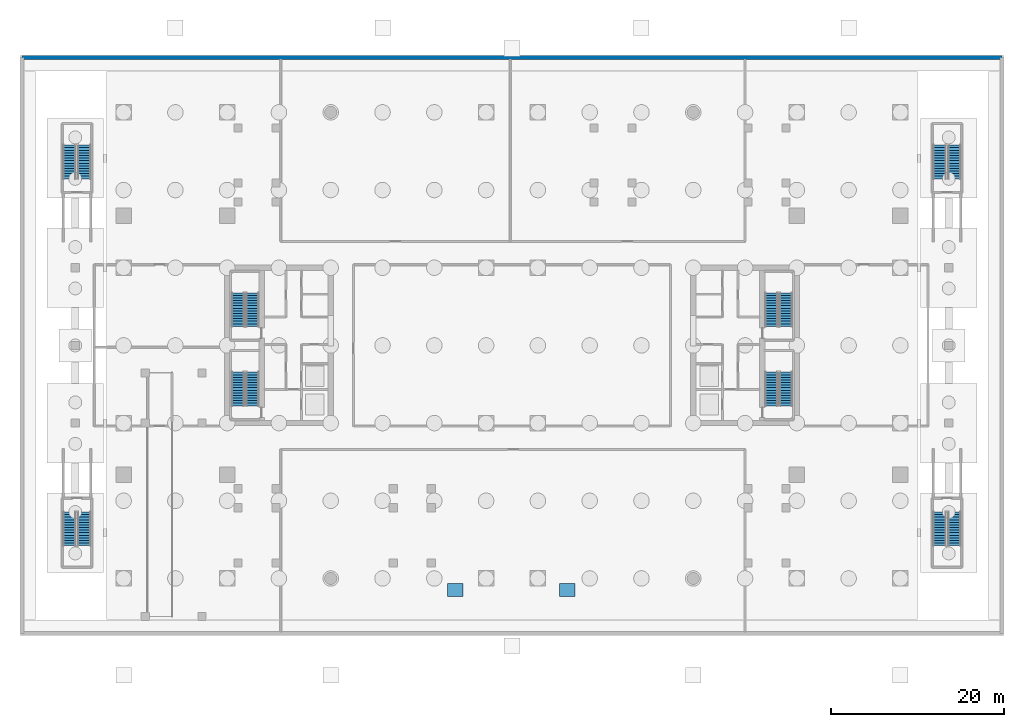
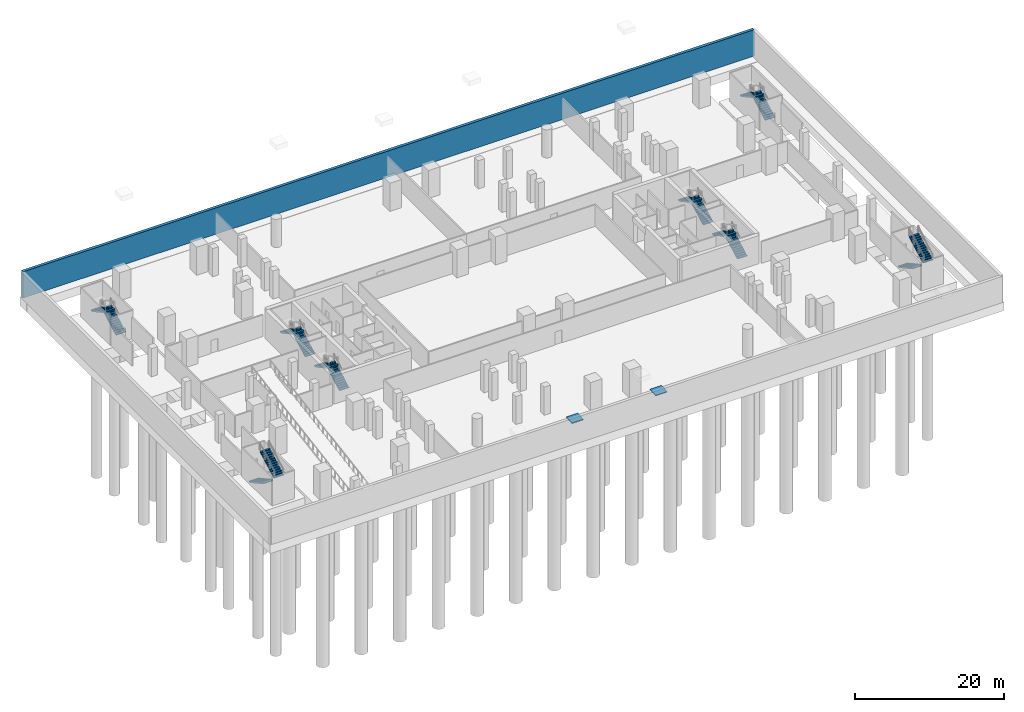
# One storey, part 9 of 14: 16 stair flights, 2 ramps, 2 ramp flights, 1 wall, 8 elements without a shape of their own.
"""IFC4 building model written with IfcOpenShell, lengths in metres."""

from ifc_helpers import new_model, si_unit, direction, frame, frame_2d, origin, place, context, subcontext, project, spatial, polyline, rectangle, outline, extrude, material, layer, layer_set, type_object, element, aggregate, save


model = new_model("IFC4")

# Units and contexts
model_context = context("Model", 3, precision=1e-05, world=origin(), true_north=direction((0.0, 1.0)))
body_context = subcontext(model_context, "Body", "Model", "MODEL_VIEW")
ifc_project = project(units=[si_unit("LENGTHUNIT", "METRE"), si_unit("AREAUNIT", "SQUARE_METRE"), si_unit("VOLUMEUNIT", "CUBIC_METRE"), si_unit("PLANEANGLEUNIT", "RADIAN"), si_unit("MASSUNIT", "GRAM", prefix="KILO")], contexts=[model_context])

# Site, building, storey
site_placement = place(None, origin())
site = spatial("IfcSite", under=ifc_project, at=site_placement, CompositionType="ELEMENT")
building_placement = place(site_placement, origin())
building = spatial("IfcBuilding", under=site, at=building_placement, Name="Tanjung Sevakor Pilgrim Tower", CompositionType="ELEMENT")
storey_placement = place(building_placement, frame((0.0, 0.0, -9.239990234375)))
storey = spatial("IfcBuildingStorey", under=building, at=storey_placement, Name="B02", CompositionType="ELEMENT", Elevation=-9.239990234375)

# Wall
ifc_material_1 = material(Name="Concrete C50/60", Category="concrete")
ifc_layer_1 = layer(ifc_material_1, 0.449951171875)
ifc_layer_set_1 = layer_set([ifc_layer_1], Name="WT-RET-450")
wall_type = type_object("IfcWallType", Name="WT-RET-450", PredefinedType="USERDEFINED", material=ifc_layer_set_1)
wall_placement = place(storey_placement, frame((113.77490234375, 66.97509765625, 0.0), z_axis=(0.0, 0.0, 1.0), x_axis=(-1.0, 0.0, 0.0)))
element("IfcWall", 1, at=wall_placement, inside=storey, type_object=wall_type, Name="B02 Perimeter Retaining Wall 3", ObjectType="RETAININGWALL", PredefinedType="USERDEFINED", context=body_context, shape_type="SweptSolid", body=[
    extrude(rectangle(XDim=113.5498046875, YDim=0.449951171875, at=frame_2d((56.77490234375, 0.0))), origin(), (0.0, 0.0, 1.0), 4.320068359375),
])

# Stair, stair flights
ifc_material_2 = material(Name="Concrete C40/50", Category="concrete")
stair_type_1 = type_object("IfcStairType", Name="STAIR-ST-BS150", PredefinedType="HALF_TURN_STAIR", material=ifc_material_2)
stair_1_placement = place(storey_placement, origin())
stair_1 = element("IfcStair", 2, at=stair_1_placement, inside=storey, type_object=stair_type_1, Name="B02 Basement South-West Exit Stair", PredefinedType="HALF_TURN_STAIR")
ifc_material_3 = material(Name="Concrete C40/50", Category="concrete")
stair_flight_type_1 = type_object("IfcStairFlightType", Name="FLIGHT-ST-BS150", PredefinedType="STRAIGHT", material=ifc_material_3)
stair_flight_1_placement = place(storey_placement, frame((5.75, 14.300048828125, 0.0), z_axis=(0.0, 0.0, 1.0), x_axis=(0.0, -1.0, 0.0)))
stair_flight_1 = element("IfcStairFlight", 3, at=stair_flight_1_placement, type_object=stair_flight_type_1, Name="BS-1 flight 1", NumberOfRisers=14, NumberOfTreads=13, PredefinedType="STRAIGHT", RiserHeight=0.165, TreadLength=0.3, context=body_context, shape_type="SweptSolid", body=[
    extrude(outline(polyline([(0.0, 0.0), (0.0, 0.1650390625), (0.300048828125, 0.1650390625), (0.300048828125, 0.330078125), (0.60009765625, 0.330078125), (0.60009765625, 0.4951171875), (0.89990234375, 0.4951171875), (0.89990234375, 0.659912109375), (1.199951171875, 0.659912109375), (1.199951171875, 0.824951171875), (1.5, 0.824951171875), (1.5, 0.989990234375), (1.800048828125, 0.989990234375), (1.800048828125, 1.155029296875), (2.10009765625, 1.155029296875), (2.10009765625, 1.320068359375), (2.39990234375, 1.320068359375), (2.39990234375, 1.485107421875), (2.699951171875, 1.485107421875), (2.699951171875, 1.64990234375), (3.0, 1.64990234375), (3.0, 1.81494140625), (3.300048828125, 1.81494140625), (3.300048828125, 1.97998046875), (3.60009765625, 1.97998046875), (3.60009765625, 2.14501953125), (3.89990234375, 2.14501953125), (3.89990234375, 2.31005859375), (3.89990234375, 1.96240234375), (0.331787109375, 0.0), (0.0, 0.0)])), frame((0.0, 0.75, 0.0), z_axis=(0.0, -1.0, 0.0), x_axis=(1.0, 0.0, 0.0)), (0.0, 0.0, 1.0), 1.5),
])
stair_flight_2_placement = place(storey_placement, frame((7.449951171875, 10.39990234375, 2.31005859375), z_axis=(0.0, 0.0, 1.0), x_axis=(0.0, 1.0, 0.0)))
stair_flight_2 = element("IfcStairFlight", 4, at=stair_flight_2_placement, type_object=stair_flight_type_1, Name="BS-1 flight 2", NumberOfRisers=14, NumberOfTreads=13, PredefinedType="STRAIGHT", RiserHeight=0.165, TreadLength=0.3, context=body_context, shape_type="SweptSolid", body=[
    extrude(outline(polyline([(0.0, 0.0), (0.0, 0.1650390625), (0.300048828125, 0.1650390625), (0.300048828125, 0.330078125), (0.60009765625, 0.330078125), (0.60009765625, 0.4951171875), (0.89990234375, 0.4951171875), (0.89990234375, 0.659912109375), (1.199951171875, 0.659912109375), (1.199951171875, 0.824951171875), (1.5, 0.824951171875), (1.5, 0.989990234375), (1.800048828125, 0.989990234375), (1.800048828125, 1.155029296875), (2.10009765625, 1.155029296875), (2.10009765625, 1.320068359375), (2.39990234375, 1.320068359375), (2.39990234375, 1.485107421875), (2.699951171875, 1.485107421875), (2.699951171875, 1.64990234375), (3.0, 1.64990234375), (3.0, 1.81494140625), (3.300048828125, 1.81494140625), (3.300048828125, 1.97998046875), (3.60009765625, 1.97998046875), (3.60009765625, 2.14501953125), (3.89990234375, 2.14501953125), (3.89990234375, 2.31005859375), (3.89990234375, 1.96240234375), (0.331787109375, 0.0), (0.0, 0.0)])), frame((0.0, 0.75, 0.0), z_axis=(0.0, -1.0, 0.0), x_axis=(1.0, 0.0, 0.0)), (0.0, 0.0, 1.0), 1.5),
])
aggregate(stair_1, [stair_flight_1, stair_flight_2])

stair_2_placement = place(storey_placement, origin())
stair_2 = element("IfcStair", 5, at=stair_2_placement, inside=storey, type_object=stair_type_1, Name="B02 Basement North-West Exit Stair", PredefinedType="HALF_TURN_STAIR")
stair_flight_3_placement = place(storey_placement, frame((7.449951171875, 52.89990234375, 0.0), z_axis=(0.0, 0.0, 1.0), x_axis=(0.0, 1.0, 0.0)))
stair_flight_3 = element("IfcStairFlight", 6, at=stair_flight_3_placement, type_object=stair_flight_type_1, Name="BS-2 flight 1", NumberOfRisers=14, NumberOfTreads=13, PredefinedType="STRAIGHT", RiserHeight=0.165, TreadLength=0.3, context=body_context, shape_type="SweptSolid", body=[
    extrude(outline(polyline([(0.0, 0.0), (0.0, 0.1650390625), (0.300048828125, 0.1650390625), (0.300048828125, 0.330078125), (0.60009765625, 0.330078125), (0.60009765625, 0.4951171875), (0.89990234375, 0.4951171875), (0.89990234375, 0.659912109375), (1.199951171875, 0.659912109375), (1.199951171875, 0.824951171875), (1.5, 0.824951171875), (1.5, 0.989990234375), (1.800048828125, 0.989990234375), (1.800048828125, 1.155029296875), (2.10009765625, 1.155029296875), (2.10009765625, 1.320068359375), (2.39990234375, 1.320068359375), (2.39990234375, 1.485107421875), (2.699951171875, 1.485107421875), (2.699951171875, 1.64990234375), (3.0, 1.64990234375), (3.0, 1.81494140625), (3.300048828125, 1.81494140625), (3.300048828125, 1.97998046875), (3.60009765625, 1.97998046875), (3.60009765625, 2.14501953125), (3.89990234375, 2.14501953125), (3.89990234375, 2.31005859375), (3.89990234375, 1.96240234375), (0.331787109375, 0.0), (0.0, 0.0)])), frame((0.0, 0.75, 0.0), z_axis=(0.0, -1.0, 0.0), x_axis=(1.0, 0.0, 0.0)), (0.0, 0.0, 1.0), 1.5),
])
stair_flight_4_placement = place(storey_placement, frame((5.75, 56.800048828125, 2.31005859375), z_axis=(0.0, 0.0, 1.0), x_axis=(0.0, -1.0, 0.0)))
stair_flight_4 = element("IfcStairFlight", 7, at=stair_flight_4_placement, type_object=stair_flight_type_1, Name="BS-2 flight 2", NumberOfRisers=14, NumberOfTreads=13, PredefinedType="STRAIGHT", RiserHeight=0.165, TreadLength=0.3, context=body_context, shape_type="SweptSolid", body=[
    extrude(outline(polyline([(0.0, 0.0), (0.0, 0.1650390625), (0.300048828125, 0.1650390625), (0.300048828125, 0.330078125), (0.60009765625, 0.330078125), (0.60009765625, 0.4951171875), (0.89990234375, 0.4951171875), (0.89990234375, 0.659912109375), (1.199951171875, 0.659912109375), (1.199951171875, 0.824951171875), (1.5, 0.824951171875), (1.5, 0.989990234375), (1.800048828125, 0.989990234375), (1.800048828125, 1.155029296875), (2.10009765625, 1.155029296875), (2.10009765625, 1.320068359375), (2.39990234375, 1.320068359375), (2.39990234375, 1.485107421875), (2.699951171875, 1.485107421875), (2.699951171875, 1.64990234375), (3.0, 1.64990234375), (3.0, 1.81494140625), (3.300048828125, 1.81494140625), (3.300048828125, 1.97998046875), (3.60009765625, 1.97998046875), (3.60009765625, 2.14501953125), (3.89990234375, 2.14501953125), (3.89990234375, 2.31005859375), (3.89990234375, 1.96240234375), (0.331787109375, 0.0), (0.0, 0.0)])), frame((0.0, 0.75, 0.0), z_axis=(0.0, -1.0, 0.0), x_axis=(1.0, 0.0, 0.0)), (0.0, 0.0, 1.0), 1.5),
])
aggregate(stair_2, [stair_flight_3, stair_flight_4])

stair_3_placement = place(storey_placement, origin())
stair_3 = element("IfcStair", 8, at=stair_3_placement, inside=storey, type_object=stair_type_1, Name="B02 Basement South-East Exit Stair", PredefinedType="HALF_TURN_STAIR")
stair_flight_5_placement = place(storey_placement, frame((106.550048828125, 14.300048828125, 0.0), z_axis=(0.0, 0.0, 1.0), x_axis=(0.0, -1.0, 0.0)))
stair_flight_5 = element("IfcStairFlight", 9, at=stair_flight_5_placement, type_object=stair_flight_type_1, Name="BS-3 flight 1", NumberOfRisers=14, NumberOfTreads=13, PredefinedType="STRAIGHT", RiserHeight=0.165, TreadLength=0.3, context=body_context, shape_type="SweptSolid", body=[
    extrude(outline(polyline([(0.0, 0.0), (0.0, 0.1650390625), (0.300048828125, 0.1650390625), (0.300048828125, 0.330078125), (0.60009765625, 0.330078125), (0.60009765625, 0.4951171875), (0.89990234375, 0.4951171875), (0.89990234375, 0.659912109375), (1.199951171875, 0.659912109375), (1.199951171875, 0.824951171875), (1.5, 0.824951171875), (1.5, 0.989990234375), (1.800048828125, 0.989990234375), (1.800048828125, 1.155029296875), (2.10009765625, 1.155029296875), (2.10009765625, 1.320068359375), (2.39990234375, 1.320068359375), (2.39990234375, 1.485107421875), (2.699951171875, 1.485107421875), (2.699951171875, 1.64990234375), (3.0, 1.64990234375), (3.0, 1.81494140625), (3.300048828125, 1.81494140625), (3.300048828125, 1.97998046875), (3.60009765625, 1.97998046875), (3.60009765625, 2.14501953125), (3.89990234375, 2.14501953125), (3.89990234375, 2.31005859375), (3.89990234375, 1.96240234375), (0.331787109375, 0.0), (0.0, 0.0)])), frame((0.0, 0.75, 0.0), z_axis=(0.0, -1.0, 0.0), x_axis=(1.0, 0.0, 0.0)), (0.0, 0.0, 1.0), 1.5),
])
stair_flight_6_placement = place(storey_placement, frame((108.25, 10.39990234375, 2.31005859375), z_axis=(0.0, 0.0, 1.0), x_axis=(0.0, 1.0, 0.0)))
stair_flight_6 = element("IfcStairFlight", 10, at=stair_flight_6_placement, type_object=stair_flight_type_1, Name="BS-3 flight 2", NumberOfRisers=14, NumberOfTreads=13, PredefinedType="STRAIGHT", RiserHeight=0.165, TreadLength=0.3, context=body_context, shape_type="SweptSolid", body=[
    extrude(outline(polyline([(0.0, 0.0), (0.0, 0.1650390625), (0.300048828125, 0.1650390625), (0.300048828125, 0.330078125), (0.60009765625, 0.330078125), (0.60009765625, 0.4951171875), (0.89990234375, 0.4951171875), (0.89990234375, 0.659912109375), (1.199951171875, 0.659912109375), (1.199951171875, 0.824951171875), (1.5, 0.824951171875), (1.5, 0.989990234375), (1.800048828125, 0.989990234375), (1.800048828125, 1.155029296875), (2.10009765625, 1.155029296875), (2.10009765625, 1.320068359375), (2.39990234375, 1.320068359375), (2.39990234375, 1.485107421875), (2.699951171875, 1.485107421875), (2.699951171875, 1.64990234375), (3.0, 1.64990234375), (3.0, 1.81494140625), (3.300048828125, 1.81494140625), (3.300048828125, 1.97998046875), (3.60009765625, 1.97998046875), (3.60009765625, 2.14501953125), (3.89990234375, 2.14501953125), (3.89990234375, 2.31005859375), (3.89990234375, 1.96240234375), (0.331787109375, 0.0), (0.0, 0.0)])), frame((0.0, 0.75, 0.0), z_axis=(0.0, -1.0, 0.0), x_axis=(1.0, 0.0, 0.0)), (0.0, 0.0, 1.0), 1.5),
])
aggregate(stair_3, [stair_flight_5, stair_flight_6])

stair_4_placement = place(storey_placement, origin())
stair_4 = element("IfcStair", 11, at=stair_4_placement, inside=storey, type_object=stair_type_1, Name="B02 Basement North-East Exit Stair", PredefinedType="HALF_TURN_STAIR")
stair_flight_7_placement = place(storey_placement, frame((108.25, 52.89990234375, 0.0), z_axis=(0.0, 0.0, 1.0), x_axis=(0.0, 1.0, 0.0)))
stair_flight_7 = element("IfcStairFlight", 12, at=stair_flight_7_placement, type_object=stair_flight_type_1, Name="BS-4 flight 1", NumberOfRisers=14, NumberOfTreads=13, PredefinedType="STRAIGHT", RiserHeight=0.165, TreadLength=0.3, context=body_context, shape_type="SweptSolid", body=[
    extrude(outline(polyline([(0.0, 0.0), (0.0, 0.1650390625), (0.300048828125, 0.1650390625), (0.300048828125, 0.330078125), (0.60009765625, 0.330078125), (0.60009765625, 0.4951171875), (0.89990234375, 0.4951171875), (0.89990234375, 0.659912109375), (1.199951171875, 0.659912109375), (1.199951171875, 0.824951171875), (1.5, 0.824951171875), (1.5, 0.989990234375), (1.800048828125, 0.989990234375), (1.800048828125, 1.155029296875), (2.10009765625, 1.155029296875), (2.10009765625, 1.320068359375), (2.39990234375, 1.320068359375), (2.39990234375, 1.485107421875), (2.699951171875, 1.485107421875), (2.699951171875, 1.64990234375), (3.0, 1.64990234375), (3.0, 1.81494140625), (3.300048828125, 1.81494140625), (3.300048828125, 1.97998046875), (3.60009765625, 1.97998046875), (3.60009765625, 2.14501953125), (3.89990234375, 2.14501953125), (3.89990234375, 2.31005859375), (3.89990234375, 1.96240234375), (0.331787109375, 0.0), (0.0, 0.0)])), frame((0.0, 0.75, 0.0), z_axis=(0.0, -1.0, 0.0), x_axis=(1.0, 0.0, 0.0)), (0.0, 0.0, 1.0), 1.5),
])
stair_flight_8_placement = place(storey_placement, frame((106.550048828125, 56.800048828125, 2.31005859375), z_axis=(0.0, 0.0, 1.0), x_axis=(0.0, -1.0, 0.0)))
stair_flight_8 = element("IfcStairFlight", 13, at=stair_flight_8_placement, type_object=stair_flight_type_1, Name="BS-4 flight 2", NumberOfRisers=14, NumberOfTreads=13, PredefinedType="STRAIGHT", RiserHeight=0.165, TreadLength=0.3, context=body_context, shape_type="SweptSolid", body=[
    extrude(outline(polyline([(0.0, 0.0), (0.0, 0.1650390625), (0.300048828125, 0.1650390625), (0.300048828125, 0.330078125), (0.60009765625, 0.330078125), (0.60009765625, 0.4951171875), (0.89990234375, 0.4951171875), (0.89990234375, 0.659912109375), (1.199951171875, 0.659912109375), (1.199951171875, 0.824951171875), (1.5, 0.824951171875), (1.5, 0.989990234375), (1.800048828125, 0.989990234375), (1.800048828125, 1.155029296875), (2.10009765625, 1.155029296875), (2.10009765625, 1.320068359375), (2.39990234375, 1.320068359375), (2.39990234375, 1.485107421875), (2.699951171875, 1.485107421875), (2.699951171875, 1.64990234375), (3.0, 1.64990234375), (3.0, 1.81494140625), (3.300048828125, 1.81494140625), (3.300048828125, 1.97998046875), (3.60009765625, 1.97998046875), (3.60009765625, 2.14501953125), (3.89990234375, 2.14501953125), (3.89990234375, 2.31005859375), (3.89990234375, 1.96240234375), (0.331787109375, 0.0), (0.0, 0.0)])), frame((0.0, 0.75, 0.0), z_axis=(0.0, -1.0, 0.0), x_axis=(1.0, 0.0, 0.0)), (0.0, 0.0, 1.0), 1.5),
])
aggregate(stair_4, [stair_flight_7, stair_flight_8])

ifc_material_4 = material(Name="Concrete C40/50", Category="concrete")
stair_type_2 = type_object("IfcStairType", Name="STAIR-ST-CR150", PredefinedType="HALF_TURN_STAIR", material=ifc_material_4)
stair_5_placement = place(storey_placement, origin())
stair_5 = element("IfcStair", 14, at=stair_5_placement, inside=storey, type_object=stair_type_2, Name="B02 West Core Exit Stair 1", PredefinedType="HALF_TURN_STAIR")
ifc_material_5 = material(Name="Concrete C40/50", Category="concrete")
stair_flight_type_2 = type_object("IfcStairFlightType", Name="FLIGHT-ST-CR150", PredefinedType="STRAIGHT", material=ifc_material_5)
stair_flight_9_placement = place(storey_placement, frame((26.949951171875, 26.60009765625, 0.0), z_axis=(0.0, 0.0, 1.0), x_axis=(0.0, 1.0, 0.0)))
stair_flight_9 = element("IfcStairFlight", 15, at=stair_flight_9_placement, type_object=stair_flight_type_2, Name="TS-W1 flight 1", NumberOfRisers=14, NumberOfTreads=13, PredefinedType="STRAIGHT", RiserHeight=0.165, TreadLength=0.3, context=body_context, shape_type="SweptSolid", body=[
    extrude(outline(polyline([(0.0, 0.0), (0.0, 0.1650390625), (0.300048828125, 0.1650390625), (0.300048828125, 0.330078125), (0.60009765625, 0.330078125), (0.60009765625, 0.4951171875), (0.89990234375, 0.4951171875), (0.89990234375, 0.659912109375), (1.199951171875, 0.659912109375), (1.199951171875, 0.824951171875), (1.5, 0.824951171875), (1.5, 0.989990234375), (1.800048828125, 0.989990234375), (1.800048828125, 1.155029296875), (2.10009765625, 1.155029296875), (2.10009765625, 1.320068359375), (2.39990234375, 1.320068359375), (2.39990234375, 1.485107421875), (2.699951171875, 1.485107421875), (2.699951171875, 1.64990234375), (3.0, 1.64990234375), (3.0, 1.81494140625), (3.300048828125, 1.81494140625), (3.300048828125, 1.97998046875), (3.60009765625, 1.97998046875), (3.60009765625, 2.14501953125), (3.89990234375, 2.14501953125), (3.89990234375, 2.31005859375), (3.89990234375, 1.96240234375), (0.331787109375, 0.0), (0.0, 0.0)])), frame((0.0, 0.75, 0.0), z_axis=(0.0, -1.0, 0.0), x_axis=(1.0, 0.0, 0.0)), (0.0, 0.0, 1.0), 1.5),
])
stair_flight_10_placement = place(storey_placement, frame((25.25, 30.5, 2.31005859375), z_axis=(0.0, 0.0, 1.0), x_axis=(0.0, -1.0, 0.0)))
stair_flight_10 = element("IfcStairFlight", 16, at=stair_flight_10_placement, type_object=stair_flight_type_2, Name="TS-W1 flight 2", NumberOfRisers=14, NumberOfTreads=13, PredefinedType="STRAIGHT", RiserHeight=0.165, TreadLength=0.3, context=body_context, shape_type="SweptSolid", body=[
    extrude(outline(polyline([(0.0, 0.0), (0.0, 0.1650390625), (0.300048828125, 0.1650390625), (0.300048828125, 0.330078125), (0.60009765625, 0.330078125), (0.60009765625, 0.4951171875), (0.89990234375, 0.4951171875), (0.89990234375, 0.659912109375), (1.199951171875, 0.659912109375), (1.199951171875, 0.824951171875), (1.5, 0.824951171875), (1.5, 0.989990234375), (1.800048828125, 0.989990234375), (1.800048828125, 1.155029296875), (2.10009765625, 1.155029296875), (2.10009765625, 1.320068359375), (2.39990234375, 1.320068359375), (2.39990234375, 1.485107421875), (2.699951171875, 1.485107421875), (2.699951171875, 1.64990234375), (3.0, 1.64990234375), (3.0, 1.81494140625), (3.300048828125, 1.81494140625), (3.300048828125, 1.97998046875), (3.60009765625, 1.97998046875), (3.60009765625, 2.14501953125), (3.89990234375, 2.14501953125), (3.89990234375, 2.31005859375), (3.89990234375, 1.96240234375), (0.331787109375, 0.0), (0.0, 0.0)])), frame((0.0, 0.75, 0.0), z_axis=(0.0, -1.0, 0.0), x_axis=(1.0, 0.0, 0.0)), (0.0, 0.0, 1.0), 1.5),
])
aggregate(stair_5, [stair_flight_9, stair_flight_10])

stair_6_placement = place(storey_placement, origin())
stair_6 = element("IfcStair", 17, at=stair_6_placement, inside=storey, type_object=stair_type_2, Name="B02 West Core Exit Stair 2", PredefinedType="HALF_TURN_STAIR")
stair_flight_11_placement = place(storey_placement, frame((26.949951171875, 35.800048828125, 0.0), z_axis=(0.0, 0.0, 1.0), x_axis=(0.0, 1.0, 0.0)))
stair_flight_11 = element("IfcStairFlight", 18, at=stair_flight_11_placement, type_object=stair_flight_type_2, Name="TS-W2 flight 1", NumberOfRisers=14, NumberOfTreads=13, PredefinedType="STRAIGHT", RiserHeight=0.165, TreadLength=0.3, context=body_context, shape_type="SweptSolid", body=[
    extrude(outline(polyline([(0.0, 0.0), (0.0, 0.1650390625), (0.300048828125, 0.1650390625), (0.300048828125, 0.330078125), (0.60009765625, 0.330078125), (0.60009765625, 0.4951171875), (0.89990234375, 0.4951171875), (0.89990234375, 0.659912109375), (1.199951171875, 0.659912109375), (1.199951171875, 0.824951171875), (1.5, 0.824951171875), (1.5, 0.989990234375), (1.800048828125, 0.989990234375), (1.800048828125, 1.155029296875), (2.10009765625, 1.155029296875), (2.10009765625, 1.320068359375), (2.39990234375, 1.320068359375), (2.39990234375, 1.485107421875), (2.699951171875, 1.485107421875), (2.699951171875, 1.64990234375), (3.0, 1.64990234375), (3.0, 1.81494140625), (3.300048828125, 1.81494140625), (3.300048828125, 1.97998046875), (3.60009765625, 1.97998046875), (3.60009765625, 2.14501953125), (3.89990234375, 2.14501953125), (3.89990234375, 2.31005859375), (3.89990234375, 1.96240234375), (0.331787109375, 0.0), (0.0, 0.0)])), frame((0.0, 0.75, 0.0), z_axis=(0.0, -1.0, 0.0), x_axis=(1.0, 0.0, 0.0)), (0.0, 0.0, 1.0), 1.5),
])
stair_flight_12_placement = place(storey_placement, frame((25.25, 39.699951171875, 2.31005859375), z_axis=(0.0, 0.0, 1.0), x_axis=(0.0, -1.0, 0.0)))
stair_flight_12 = element("IfcStairFlight", 19, at=stair_flight_12_placement, type_object=stair_flight_type_2, Name="TS-W2 flight 2", NumberOfRisers=14, NumberOfTreads=13, PredefinedType="STRAIGHT", RiserHeight=0.165, TreadLength=0.3, context=body_context, shape_type="SweptSolid", body=[
    extrude(outline(polyline([(0.0, 0.0), (0.0, 0.1650390625), (0.300048828125, 0.1650390625), (0.300048828125, 0.330078125), (0.60009765625, 0.330078125), (0.60009765625, 0.4951171875), (0.89990234375, 0.4951171875), (0.89990234375, 0.659912109375), (1.199951171875, 0.659912109375), (1.199951171875, 0.824951171875), (1.5, 0.824951171875), (1.5, 0.989990234375), (1.800048828125, 0.989990234375), (1.800048828125, 1.155029296875), (2.10009765625, 1.155029296875), (2.10009765625, 1.320068359375), (2.39990234375, 1.320068359375), (2.39990234375, 1.485107421875), (2.699951171875, 1.485107421875), (2.699951171875, 1.64990234375), (3.0, 1.64990234375), (3.0, 1.81494140625), (3.300048828125, 1.81494140625), (3.300048828125, 1.97998046875), (3.60009765625, 1.97998046875), (3.60009765625, 2.14501953125), (3.89990234375, 2.14501953125), (3.89990234375, 2.31005859375), (3.89990234375, 1.96240234375), (0.331787109375, 0.0), (0.0, 0.0)])), frame((0.0, 0.75, 0.0), z_axis=(0.0, -1.0, 0.0), x_axis=(1.0, 0.0, 0.0)), (0.0, 0.0, 1.0), 1.5),
])
aggregate(stair_6, [stair_flight_11, stair_flight_12])

stair_7_placement = place(storey_placement, origin())
stair_7 = element("IfcStair", 20, at=stair_7_placement, inside=storey, type_object=stair_type_2, Name="B02 East Core Exit Stair 1", PredefinedType="HALF_TURN_STAIR")
stair_flight_13_placement = place(storey_placement, frame((88.75, 26.60009765625, 0.0), z_axis=(0.0, 0.0, 1.0), x_axis=(0.0, 1.0, 0.0)))
stair_flight_13 = element("IfcStairFlight", 21, at=stair_flight_13_placement, type_object=stair_flight_type_2, Name="TS-E1 flight 1", NumberOfRisers=14, NumberOfTreads=13, PredefinedType="STRAIGHT", RiserHeight=0.165, TreadLength=0.3, context=body_context, shape_type="SweptSolid", body=[
    extrude(outline(polyline([(0.0, 0.0), (0.0, 0.1650390625), (0.300048828125, 0.1650390625), (0.300048828125, 0.330078125), (0.60009765625, 0.330078125), (0.60009765625, 0.4951171875), (0.89990234375, 0.4951171875), (0.89990234375, 0.659912109375), (1.199951171875, 0.659912109375), (1.199951171875, 0.824951171875), (1.5, 0.824951171875), (1.5, 0.989990234375), (1.800048828125, 0.989990234375), (1.800048828125, 1.155029296875), (2.10009765625, 1.155029296875), (2.10009765625, 1.320068359375), (2.39990234375, 1.320068359375), (2.39990234375, 1.485107421875), (2.699951171875, 1.485107421875), (2.699951171875, 1.64990234375), (3.0, 1.64990234375), (3.0, 1.81494140625), (3.300048828125, 1.81494140625), (3.300048828125, 1.97998046875), (3.60009765625, 1.97998046875), (3.60009765625, 2.14501953125), (3.89990234375, 2.14501953125), (3.89990234375, 2.31005859375), (3.89990234375, 1.96240234375), (0.331787109375, 0.0), (0.0, 0.0)])), frame((0.0, 0.75, 0.0), z_axis=(0.0, -1.0, 0.0), x_axis=(1.0, 0.0, 0.0)), (0.0, 0.0, 1.0), 1.5),
])
stair_flight_14_placement = place(storey_placement, frame((87.050048828125, 30.5, 2.31005859375), z_axis=(0.0, 0.0, 1.0), x_axis=(0.0, -1.0, 0.0)))
stair_flight_14 = element("IfcStairFlight", 22, at=stair_flight_14_placement, type_object=stair_flight_type_2, Name="TS-E1 flight 2", NumberOfRisers=14, NumberOfTreads=13, PredefinedType="STRAIGHT", RiserHeight=0.165, TreadLength=0.3, context=body_context, shape_type="SweptSolid", body=[
    extrude(outline(polyline([(0.0, 0.0), (0.0, 0.1650390625), (0.300048828125, 0.1650390625), (0.300048828125, 0.330078125), (0.60009765625, 0.330078125), (0.60009765625, 0.4951171875), (0.89990234375, 0.4951171875), (0.89990234375, 0.659912109375), (1.199951171875, 0.659912109375), (1.199951171875, 0.824951171875), (1.5, 0.824951171875), (1.5, 0.989990234375), (1.800048828125, 0.989990234375), (1.800048828125, 1.155029296875), (2.10009765625, 1.155029296875), (2.10009765625, 1.320068359375), (2.39990234375, 1.320068359375), (2.39990234375, 1.485107421875), (2.699951171875, 1.485107421875), (2.699951171875, 1.64990234375), (3.0, 1.64990234375), (3.0, 1.81494140625), (3.300048828125, 1.81494140625), (3.300048828125, 1.97998046875), (3.60009765625, 1.97998046875), (3.60009765625, 2.14501953125), (3.89990234375, 2.14501953125), (3.89990234375, 2.31005859375), (3.89990234375, 1.96240234375), (0.331787109375, 0.0), (0.0, 0.0)])), frame((0.0, 0.75, 0.0), z_axis=(0.0, -1.0, 0.0), x_axis=(1.0, 0.0, 0.0)), (0.0, 0.0, 1.0), 1.5),
])
aggregate(stair_7, [stair_flight_13, stair_flight_14])

stair_8_placement = place(storey_placement, origin())
stair_8 = element("IfcStair", 23, at=stair_8_placement, inside=storey, type_object=stair_type_2, Name="B02 East Core Exit Stair 2", PredefinedType="HALF_TURN_STAIR")
stair_flight_15_placement = place(storey_placement, frame((88.75, 35.800048828125, 0.0), z_axis=(0.0, 0.0, 1.0), x_axis=(0.0, 1.0, 0.0)))
stair_flight_15 = element("IfcStairFlight", 24, at=stair_flight_15_placement, type_object=stair_flight_type_2, Name="TS-E2 flight 1", NumberOfRisers=14, NumberOfTreads=13, PredefinedType="STRAIGHT", RiserHeight=0.165, TreadLength=0.3, context=body_context, shape_type="SweptSolid", body=[
    extrude(outline(polyline([(0.0, 0.0), (0.0, 0.1650390625), (0.300048828125, 0.1650390625), (0.300048828125, 0.330078125), (0.60009765625, 0.330078125), (0.60009765625, 0.4951171875), (0.89990234375, 0.4951171875), (0.89990234375, 0.659912109375), (1.199951171875, 0.659912109375), (1.199951171875, 0.824951171875), (1.5, 0.824951171875), (1.5, 0.989990234375), (1.800048828125, 0.989990234375), (1.800048828125, 1.155029296875), (2.10009765625, 1.155029296875), (2.10009765625, 1.320068359375), (2.39990234375, 1.320068359375), (2.39990234375, 1.485107421875), (2.699951171875, 1.485107421875), (2.699951171875, 1.64990234375), (3.0, 1.64990234375), (3.0, 1.81494140625), (3.300048828125, 1.81494140625), (3.300048828125, 1.97998046875), (3.60009765625, 1.97998046875), (3.60009765625, 2.14501953125), (3.89990234375, 2.14501953125), (3.89990234375, 2.31005859375), (3.89990234375, 1.96240234375), (0.331787109375, 0.0), (0.0, 0.0)])), frame((0.0, 0.75, 0.0), z_axis=(0.0, -1.0, 0.0), x_axis=(1.0, 0.0, 0.0)), (0.0, 0.0, 1.0), 1.5),
])
stair_flight_16_placement = place(storey_placement, frame((87.050048828125, 39.699951171875, 2.31005859375), z_axis=(0.0, 0.0, 1.0), x_axis=(0.0, -1.0, 0.0)))
stair_flight_16 = element("IfcStairFlight", 25, at=stair_flight_16_placement, type_object=stair_flight_type_2, Name="TS-E2 flight 2", NumberOfRisers=14, NumberOfTreads=13, PredefinedType="STRAIGHT", RiserHeight=0.165, TreadLength=0.3, context=body_context, shape_type="SweptSolid", body=[
    extrude(outline(polyline([(0.0, 0.0), (0.0, 0.1650390625), (0.300048828125, 0.1650390625), (0.300048828125, 0.330078125), (0.60009765625, 0.330078125), (0.60009765625, 0.4951171875), (0.89990234375, 0.4951171875), (0.89990234375, 0.659912109375), (1.199951171875, 0.659912109375), (1.199951171875, 0.824951171875), (1.5, 0.824951171875), (1.5, 0.989990234375), (1.800048828125, 0.989990234375), (1.800048828125, 1.155029296875), (2.10009765625, 1.155029296875), (2.10009765625, 1.320068359375), (2.39990234375, 1.320068359375), (2.39990234375, 1.485107421875), (2.699951171875, 1.485107421875), (2.699951171875, 1.64990234375), (3.0, 1.64990234375), (3.0, 1.81494140625), (3.300048828125, 1.81494140625), (3.300048828125, 1.97998046875), (3.60009765625, 1.97998046875), (3.60009765625, 2.14501953125), (3.89990234375, 2.14501953125), (3.89990234375, 2.31005859375), (3.89990234375, 1.96240234375), (0.331787109375, 0.0), (0.0, 0.0)])), frame((0.0, 0.75, 0.0), z_axis=(0.0, -1.0, 0.0), x_axis=(1.0, 0.0, 0.0)), (0.0, 0.0, 1.0), 1.5),
])
aggregate(stair_8, [stair_flight_15, stair_flight_16])

# Ramp
ifc_material_6 = material(Name="Concrete C40/50", Category="concrete")
ramp_type = type_object("IfcRampType", Name="RAMP-PED-A", PredefinedType="STRAIGHT_RUN_RAMP", material=ifc_material_6)
ramp_1_placement = place(storey_placement, frame((49.5, 4.5, 0.0), z_axis=(0.0, -0.079661392069, 0.996821981406), x_axis=(1.0, 0.0, 0.0)))
ramp_1 = element("IfcRamp", 26, at=ramp_1_placement, inside=storey, type_object=ramp_type, Name="B02 Accessible Pedestrian Ramp 3", PredefinedType="STRAIGHT_RUN_RAMP", context=body_context, shape_type="SweptSolid", body=[
    extrude(outline(polyline([(0.0, 0.0), (1.800048828125, 0.0), (1.800048828125, 1.5047822258941974), (0.0, 1.5047822258941974), (0.0, 0.0)])), origin(), (0.0, 0.0, -1.0), 0.14990234375),
])

ramp_2_placement = place(storey_placement, frame((62.5, 4.5, 0.0), z_axis=(0.0, -0.079661392069, 0.996821981406), x_axis=(1.0, 0.0, 0.0)))
ramp_2 = element("IfcRamp", 27, at=ramp_2_placement, inside=storey, type_object=ramp_type, Name="B02 Accessible Pedestrian Ramp 4", PredefinedType="STRAIGHT_RUN_RAMP", context=body_context, shape_type="SweptSolid", body=[
    extrude(outline(polyline([(0.0, 0.0), (1.800048828125, 0.0), (1.800048828125, 1.5047822258941974), (0.0, 1.5047822258941974), (0.0, 0.0)])), origin(), (0.0, 0.0, -1.0), 0.14990234375),
])

# Ramp flight
ifc_material_7 = material(Name="Concrete C40/50", Category="concrete")
ifc_layer_2 = layer(ifc_material_7, 0.14990234375)
ifc_layer_set_2 = layer_set([ifc_layer_2], Name="RMPFL-PED")
ramp_flight_type = type_object("IfcRampFlightType", Name="RMPFL-PED", PredefinedType="STRAIGHT", material=ifc_layer_set_2)
ramp_flight_1_placement = place(storey_placement, frame((49.5, 4.5, 0.0), z_axis=(0.0, -0.079661392069, 0.996821981406), x_axis=(1.0, 0.0, 0.0)))
ramp_flight_1 = element("IfcRampFlight", 28, at=ramp_flight_1_placement, type_object=ramp_flight_type, Name="B02 Accessible Ramp Flight 3", PredefinedType="STRAIGHT", context=body_context, shape_type="SweptSolid", body=[
    extrude(outline(polyline([(0.0, 0.0), (1.800048828125, 0.0), (1.800048828125, 1.5047822258941974), (0.0, 1.5047822258941974), (0.0, 0.0)])), origin(), (0.0, 0.0, -1.0), 0.14990234375),
])

aggregate(ramp_1, [ramp_flight_1])

ramp_flight_2_placement = place(storey_placement, frame((62.5, 4.5, 0.0), z_axis=(0.0, -0.079661392069, 0.996821981406), x_axis=(1.0, 0.0, 0.0)))
ramp_flight_2 = element("IfcRampFlight", 29, at=ramp_flight_2_placement, type_object=ramp_flight_type, Name="B02 Accessible Ramp Flight 4", PredefinedType="STRAIGHT", context=body_context, shape_type="SweptSolid", body=[
    extrude(outline(polyline([(0.0, 0.0), (1.800048828125, 0.0), (1.800048828125, 1.5047822258941974), (0.0, 1.5047822258941974), (0.0, 0.0)])), origin(), (0.0, 0.0, -1.0), 0.14990234375),
])

aggregate(ramp_2, [ramp_flight_2])

save(model, "model.ifc")
